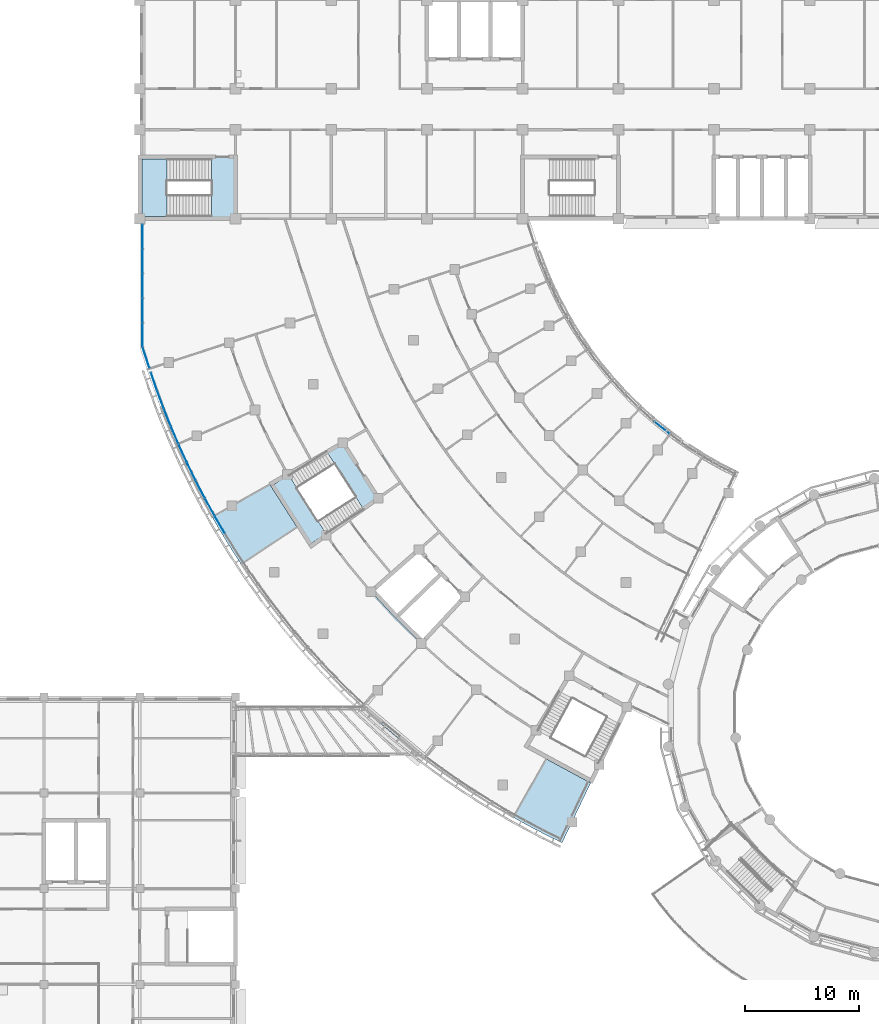
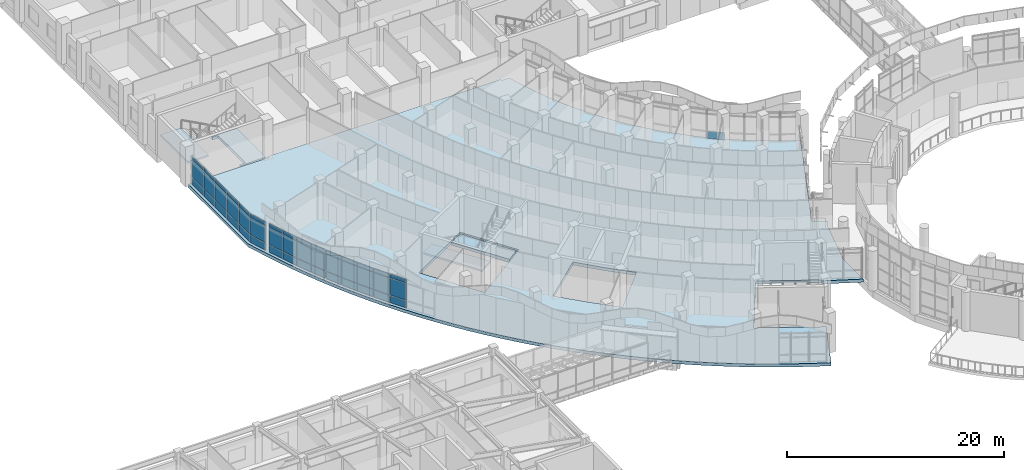
# One storey, part 46 of 136: 46 plates, 5 slabs, 8 elements without a shape of their own.
"""IFC4 building model written with IfcOpenShell, lengths in metres."""

import ifcopenshell
import ifcopenshell.guid

model = None  # the IFC model being written
_history = None  # IfcOwnerHistory: only IFC2X3 demands one
_inside = {}  # id of a spatial element -> (the spatial element, [elements in it])
_under = {}  # id of a project, library or spatial element -> (it, [spatial elements below it])
_declared = {}  # id of a project -> (the project, [libraries it declares])
_typed = {}  # id of a type object -> (the type object, [elements of that type])
_made_of = {}  # id of a material, layer set ... -> (it, [elements and type objects made of it])


def new_model(schema):
    """Start an empty IFC model of exactly this schema.

    Asked for "IFC4X3", IfcOpenShell would pick the latest addendum, in which some entities
    have other attributes; the version numbers below select the first issue.
    IFC2X3 requires an IfcOwnerHistory on every rooted entity: one is made here for all.
    """
    global model, _history
    if schema == "IFC4X3":
        model = ifcopenshell.file(schema_version=(4, 3, 0, 0))
    else:
        model = ifcopenshell.file(schema=schema)
    _inside.clear()
    _under.clear()
    _declared.clear()
    _typed.clear()
    _made_of.clear()
    _history = None
    if model.schema == "IFC2X3":
        org = make("IfcOrganization", Name="unknown")
        user = make(
            "IfcPersonAndOrganization",
            ThePerson=make("IfcPerson", FamilyName="unknown"),
            TheOrganization=org,
        )
        app = make(
            "IfcApplication",
            ApplicationDeveloper=org,
            Version="unknown",
            ApplicationFullName="unknown",
            ApplicationIdentifier="unknown",
        )
        _history = make(
            "IfcOwnerHistory",
            OwningUser=user,
            OwningApplication=app,
            ChangeAction="ADDED",
            CreationDate=0,
        )
    return model


def make(cls, **values):
    """One entity of the class cls with the attributes given. An attribute that is None is left unset."""
    return model.create_entity(
        cls, **{name: value for name, value in values.items() if value is not None}
    )


def rooted(cls, **values):
    """An entity with a GlobalId (a new one), such as an element, a storey or a relation."""
    return make(cls, GlobalId=ifcopenshell.guid.new(), OwnerHistory=_history, **values)


def si_unit(unit_type, name, prefix=None):
    """IfcSIUnit, for example si_unit("LENGTHUNIT", "METRE", prefix="MILLI")."""
    return make("IfcSIUnit", UnitType=unit_type, Prefix=prefix, Name=name)


def assignment(units):
    """IfcUnitAssignment: the units of a project."""
    return None if units is None else make("IfcUnitAssignment", Units=units)


def point(xyz):
    """IfcCartesianPoint."""
    return None if xyz is None else make("IfcCartesianPoint", Coordinates=xyz)


def direction(xyz):
    """IfcDirection."""
    return None if xyz is None else make("IfcDirection", DirectionRatios=xyz)


def frame(location, z_axis=None, x_axis=None):
    """IfcAxis2Placement3D, a coordinate frame: its origin and axes. An axis left out is left unset."""
    return make(
        "IfcAxis2Placement3D",
        Location=point(location),
        Axis=direction(z_axis),
        RefDirection=direction(x_axis),
    )


def frame_2d(location, x_axis=None):
    """IfcAxis2Placement2D, a coordinate frame in the plane: its origin and x axis."""
    return make(
        "IfcAxis2Placement2D", Location=point(location), RefDirection=direction(x_axis)
    )


def origin():
    """The frame at (0, 0, 0) with its axes left unset."""
    return frame((0.0, 0.0, 0.0))


def origin_2d():
    """The frame at (0, 0) in the plane with its x axis left unset."""
    return frame_2d((0.0, 0.0))


def place(relative_to, where):
    """IfcLocalPlacement: puts the frame where relative to a parent placement (None: the world)."""
    return make(
        "IfcLocalPlacement", PlacementRelTo=relative_to, RelativePlacement=where
    )


def context(
    kind, dimensions, precision=None, world=None, true_north=None, identifier=None
):
    """IfcGeometricRepresentationContext, for example the 3D "Model" context."""
    return make(
        "IfcGeometricRepresentationContext",
        ContextIdentifier=identifier,
        ContextType=kind,
        CoordinateSpaceDimension=dimensions,
        Precision=precision,
        WorldCoordinateSystem=world,
        TrueNorth=true_north,
    )


def subcontext(parent, identifier, kind, view, scale=None):
    """IfcGeometricRepresentationSubContext, for example "Body" below "Model"."""
    return make(
        "IfcGeometricRepresentationSubContext",
        ContextIdentifier=identifier,
        ContextType=kind,
        ParentContext=parent,
        TargetScale=scale,
        TargetView=view,
    )


def project(units=None, contexts=None):
    """IfcProject with its units and contexts."""
    return rooted(
        "IfcProject",
        Name="project",
        RepresentationContexts=contexts,
        UnitsInContext=assignment(units),
    )


def spatial(cls, under=None, at=None, **own):
    """A site, building, storey or space (cls), placed at a placement, below another one or the project."""
    s = rooted(cls, ObjectPlacement=at, **own)
    if under is not None:
        _under.setdefault(under.id(), (under, []))[1].append(s)
    return s


def polyline(points):
    """IfcPolyline through the points."""
    return make("IfcPolyline", Points=[point(p) for p in points])


def profile(cls, at=None, kind="AREA", **sizes):
    """A parametric profile (cls). Its sizes go by their IFC names, for example OverallWidth=200.0."""
    return make(cls, ProfileType=kind, Position=at, **sizes)


def rectangle(**sizes):
    """IfcRectangleProfileDef."""
    return profile("IfcRectangleProfileDef", **sizes)


def outline(outer, holes=None, kind="AREA"):
    """IfcArbitraryClosedProfileDef: a profile drawn as a closed curve; with holes, ...WithVoids."""
    if holes is None:
        return make("IfcArbitraryClosedProfileDef", ProfileType=kind, OuterCurve=outer)
    return make(
        "IfcArbitraryProfileDefWithVoids",
        ProfileType=kind,
        OuterCurve=outer,
        InnerCurves=holes,
    )


def extrude(swept, where, along, depth):
    """IfcExtrudedAreaSolid: the profile swept, set in the frame where, extruded along a direction by depth."""
    return make(
        "IfcExtrudedAreaSolid",
        SweptArea=swept,
        Position=where,
        ExtrudedDirection=direction(along),
        Depth=depth,
    )


def shape(context_of_items, identifier, shape_type, items):
    """IfcShapeRepresentation: the items that make up one representation, for example the "Body"."""
    return make(
        "IfcShapeRepresentation",
        ContextOfItems=context_of_items,
        RepresentationIdentifier=identifier,
        RepresentationType=shape_type,
        Items=items,
    )


def material(Name=None, Category=None):
    """IfcMaterial."""
    return make("IfcMaterial", Name=Name, Category=Category)


def layer(
    of_material, thickness, ventilated=None, Name=None, Category=None, Priority=None
):
    """IfcMaterialLayer: one layer of a wall or slab, of a material (None: an air gap)."""
    return make(
        "IfcMaterialLayer",
        Material=of_material,
        LayerThickness=thickness,
        IsVentilated=ventilated,
        Name=Name,
        Category=Category,
        Priority=Priority,
    )


def layer_set(layers, Name=None):
    """IfcMaterialLayerSet."""
    return make("IfcMaterialLayerSet", MaterialLayers=layers, LayerSetName=Name)


def made_of(thing, what):
    """Note that an element or type object is made of a material, layer set ...; save() writes the relation."""
    if what is not None:
        _made_of.setdefault(what.id(), (what, []))[1].append(thing)
    return thing


def type_object(cls, material=None, **own):
    """A type object (cls), such as IfcWallType, which elements share."""
    return made_of(rooted(cls, **own), material)


def element(
    cls,
    number,
    at=None,
    inside=None,
    cuts=None,
    type_object=None,
    material=None,
    context=None,
    identifier="Body",
    shape_type=None,
    held_by="IfcProductDefinitionShape",
    body=None,
    shapes=None,
    **own,
):
    """One element of the class cls, such as IfcWall. Its Tag is "e" and its number.

    at: its placement. inside: the storey or other place that contains it. cuts: it is an
    opening in that element (IfcRelVoidsElement). A single representation is given by context,
    identifier, shape_type and body (its items); several are given by shapes. held_by: the class
    of the entity that holds the representations. save() writes the other relations.
    """
    e = rooted(cls, Tag="e%d" % number, ObjectPlacement=at, **own)
    if body is not None:
        shapes = [shape(context, identifier, shape_type, body)]
    if shapes is not None:
        e.Representation = make(held_by, Representations=shapes)
    if inside is not None:
        _inside.setdefault(inside.id(), (inside, []))[1].append(e)
    if cuts is not None:
        rooted(
            "IfcRelVoidsElement", RelatingBuildingElement=cuts, RelatedOpeningElement=e
        )
    if type_object is not None:
        _typed.setdefault(type_object.id(), (type_object, []))[1].append(e)
    return made_of(e, material)


def aggregate(whole, parts):
    """IfcRelAggregates: a whole, such as a stair, and the parts it consists of."""
    return rooted("IfcRelAggregates", RelatingObject=whole, RelatedObjects=parts)


def save(model, path):
    """Write the relations noted so far, then the file.

    IfcRelAggregates (storeys below a building ...), IfcRelContainedInSpatialStructure (elements
    in a storey), IfcRelDefinesByType, IfcRelAssociatesMaterial and IfcRelDeclares: one each for
    every whole, place, type object, material and project.
    """
    for whole, parts in _under.values():
        aggregate(whole, parts)
    for where, things in _inside.values():
        rooted(
            "IfcRelContainedInSpatialStructure",
            RelatedElements=things,
            RelatingStructure=where,
        )
    for kind, things in _typed.values():
        rooted("IfcRelDefinesByType", RelatedObjects=things, RelatingType=kind)
    for what, things in _made_of.values():
        rooted("IfcRelAssociatesMaterial", RelatedObjects=things, RelatingMaterial=what)
    for by, libraries in _declared.values():
        rooted("IfcRelDeclares", RelatingContext=by, RelatedDefinitions=libraries)
    model.write(path)


model = new_model("IFC4")

# Units and contexts
model_context = context("Model", 3, precision=1e-05, world=origin(), true_north=direction((0.0, 1.0)))
body_context = subcontext(model_context, "Body", "Model", "MODEL_VIEW")
ifc_project = project(units=[si_unit("LENGTHUNIT", "METRE"), si_unit("AREAUNIT", "SQUARE_METRE"), si_unit("VOLUMEUNIT", "CUBIC_METRE"), si_unit("PLANEANGLEUNIT", "RADIAN"), si_unit("MASSUNIT", "GRAM", prefix="KILO")], contexts=[model_context])

# Site, building, storey
site_placement = place(None, origin())
site = spatial("IfcSite", under=ifc_project, at=site_placement, CompositionType="ELEMENT")
building_placement = place(site_placement, origin())
building = spatial("IfcBuilding", under=site, at=building_placement, Name="Bougainvillea Quay General Hospital", CompositionType="ELEMENT")
storey_placement = place(building_placement, frame((0.0, 0.0, 5.39990234375)))
storey = spatial("IfcBuildingStorey", under=building, at=storey_placement, Name="L01", CompositionType="ELEMENT", Elevation=5.39990234375)

# Curtain wall, plates
ifc_material_1 = material(Name="Aluminium curtain wall system, powder-coated glazed", Category="aluminium")
curtain_wall_type_1 = type_object("IfcCurtainWallType", Name="Unitised curtain wall CW-2162", PredefinedType="NOTDEFINED", material=ifc_material_1)
curtain_wall_1_placement = place(storey_placement, origin())
curtain_wall_1 = element("IfcCurtainWall", 1, at=curtain_wall_1_placement, inside=storey, type_object=curtain_wall_type_1, Name="CW-AE 00", PredefinedType="NOTDEFINED")
ifc_material_2 = material(Name="Insulated aluminium spandrel panel, white", Category="aluminium")
ifc_layer_1 = layer(ifc_material_2, 0.028076171875)
ifc_layer_set_1 = layer_set([ifc_layer_1], Name="Insulated aluminium spandrel panel, white")
plate_type_1 = type_object("IfcPlateType", Name="Insulated spandrel panel white 28", PredefinedType="CURTAIN_PANEL", material=ifc_layer_set_1)
plate_1_placement = place(storey_placement, frame((42.25, 116.009033203125, 0.06005859375), z_axis=(0.0, 0.0, 1.0), x_axis=(0.0, -1.0, 0.0)))
plate_1 = element("IfcPlate", 2, at=plate_1_placement, type_object=plate_type_1, Name="CW-AE spandrel panel 1.1", PredefinedType="CURTAIN_PANEL", context=body_context, shape_type="SweptSolid", body=[
    extrude(rectangle(XDim=2.07177734375, YDim=0.028076171875, at=origin_2d()), origin(), (0.0, 0.0, 1.0), 0.81005859375),
])
plate_2_placement = place(storey_placement, frame((42.25, 116.009033203125, 2.88037109375), z_axis=(0.0, 0.0, 1.0), x_axis=(0.0, -1.0, 0.0)))
plate_2 = element("IfcPlate", 3, at=plate_2_placement, type_object=plate_type_1, Name="CW-AE spandrel panel 1.3", PredefinedType="CURTAIN_PANEL", context=body_context, shape_type="SweptSolid", body=[
    extrude(rectangle(XDim=2.07177734375, YDim=0.028076171875, at=origin_2d()), origin(), (0.0, 0.0, 1.0), 0.409912109375),
])
plate_3_placement = place(storey_placement, frame((42.25, 113.8623046875, 0.06005859375), z_axis=(0.0, 0.0, 1.0), x_axis=(0.0, -1.0, 0.0)))
plate_3 = element("IfcPlate", 4, at=plate_3_placement, type_object=plate_type_1, Name="CW-AE spandrel panel 2.1", PredefinedType="CURTAIN_PANEL", context=body_context, shape_type="SweptSolid", body=[
    extrude(rectangle(XDim=2.101806640625, YDim=0.028076171875, at=origin_2d()), origin(), (0.0, 0.0, 1.0), 0.81005859375),
])
plate_4_placement = place(storey_placement, frame((42.25, 113.8623046875, 2.88037109375), z_axis=(0.0, 0.0, 1.0), x_axis=(0.0, -1.0, 0.0)))
plate_4 = element("IfcPlate", 5, at=plate_4_placement, type_object=plate_type_1, Name="CW-AE spandrel panel 2.3", PredefinedType="CURTAIN_PANEL", context=body_context, shape_type="SweptSolid", body=[
    extrude(rectangle(XDim=2.101806640625, YDim=0.028076171875, at=origin_2d()), origin(), (0.0, 0.0, 1.0), 0.409912109375),
])
plate_5_placement = place(storey_placement, frame((42.25, 111.700439453125, 0.06005859375), z_axis=(0.0, 0.0, 1.0), x_axis=(0.0, -1.0, 0.0)))
plate_5 = element("IfcPlate", 6, at=plate_5_placement, type_object=plate_type_1, Name="CW-AE spandrel panel 3.1", PredefinedType="CURTAIN_PANEL", context=body_context, shape_type="SweptSolid", body=[
    extrude(rectangle(XDim=2.101806640625, YDim=0.028076171875, at=origin_2d()), origin(), (0.0, 0.0, 1.0), 0.81005859375),
])
plate_6_placement = place(storey_placement, frame((42.25, 111.700439453125, 2.88037109375), z_axis=(0.0, 0.0, 1.0), x_axis=(0.0, -1.0, 0.0)))
plate_6 = element("IfcPlate", 7, at=plate_6_placement, type_object=plate_type_1, Name="CW-AE spandrel panel 3.3", PredefinedType="CURTAIN_PANEL", context=body_context, shape_type="SweptSolid", body=[
    extrude(rectangle(XDim=2.101806640625, YDim=0.028076171875, at=origin_2d()), origin(), (0.0, 0.0, 1.0), 0.409912109375),
])
plate_7_placement = place(storey_placement, frame((42.25, 109.538818359375, 0.06005859375), z_axis=(0.0, 0.0, 1.0), x_axis=(0.0, -1.0, 0.0)))
plate_7 = element("IfcPlate", 8, at=plate_7_placement, type_object=plate_type_1, Name="CW-AE spandrel panel 4.1", PredefinedType="CURTAIN_PANEL", context=body_context, shape_type="SweptSolid", body=[
    extrude(rectangle(XDim=2.101806640625, YDim=0.028076171875, at=origin_2d()), origin(), (0.0, 0.0, 1.0), 0.81005859375),
])
plate_8_placement = place(storey_placement, frame((42.25, 109.538818359375, 2.88037109375), z_axis=(0.0, 0.0, 1.0), x_axis=(0.0, -1.0, 0.0)))
plate_8 = element("IfcPlate", 9, at=plate_8_placement, type_object=plate_type_1, Name="CW-AE spandrel panel 4.3", PredefinedType="CURTAIN_PANEL", context=body_context, shape_type="SweptSolid", body=[
    extrude(rectangle(XDim=2.101806640625, YDim=0.028076171875, at=origin_2d()), origin(), (0.0, 0.0, 1.0), 0.409912109375),
])
plate_9_placement = place(storey_placement, frame((42.25, 107.391845703125, 0.06005859375), z_axis=(0.0, 0.0, 1.0), x_axis=(0.0, -1.0, 0.0)))
plate_9 = element("IfcPlate", 10, at=plate_9_placement, type_object=plate_type_1, Name="CW-AE spandrel panel 5.1", PredefinedType="CURTAIN_PANEL", context=body_context, shape_type="SweptSolid", body=[
    extrude(rectangle(XDim=2.07177734375, YDim=0.028076171875, at=origin_2d()), origin(), (0.0, 0.0, 1.0), 0.81005859375),
])
plate_10_placement = place(storey_placement, frame((42.25, 107.391845703125, 2.88037109375), z_axis=(0.0, 0.0, 1.0), x_axis=(0.0, -1.0, 0.0)))
plate_10 = element("IfcPlate", 11, at=plate_10_placement, type_object=plate_type_1, Name="CW-AE spandrel panel 5.3", PredefinedType="CURTAIN_PANEL", context=body_context, shape_type="SweptSolid", body=[
    extrude(rectangle(XDim=2.07177734375, YDim=0.028076171875, at=origin_2d()), origin(), (0.0, 0.0, 1.0), 0.409912109375),
])

curtain_wall_type_2 = type_object("IfcCurtainWallType", Name="Unitised curtain wall CW-2027", PredefinedType="NOTDEFINED", material=ifc_material_1)
curtain_wall_2_placement = place(storey_placement, origin())
curtain_wall_2 = element("IfcCurtainWall", 12, at=curtain_wall_2_placement, inside=storey, type_object=curtain_wall_type_2, Name="CW-AE 00", PredefinedType="NOTDEFINED")
plate_11_placement = place(storey_placement, frame((42.55078125, 105.40966796875, 0.06005859375), z_axis=(0.0, 0.0, 1.0), x_axis=(0.30896330961, -0.951073957858, 0.0)))
plate_11 = element("IfcPlate", 13, at=plate_11_placement, type_object=plate_type_1, Name="CW-AE spandrel panel 1.1", PredefinedType="CURTAIN_PANEL", context=body_context, shape_type="SweptSolid", body=[
    extrude(rectangle(XDim=1.90625, YDim=0.028076171875, at=origin_2d()), origin(), (0.0, 0.0, 1.0), 0.81005859375),
])
plate_12_placement = place(storey_placement, frame((42.55078125, 105.40966796875, 2.88037109375), z_axis=(0.0, 0.0, 1.0), x_axis=(0.30896330961, -0.951073957858, 0.0)))
plate_12 = element("IfcPlate", 14, at=plate_12_placement, type_object=plate_type_1, Name="CW-AE spandrel panel 1.3", PredefinedType="CURTAIN_PANEL", context=body_context, shape_type="SweptSolid", body=[
    extrude(rectangle(XDim=1.90625, YDim=0.028076171875, at=origin_2d()), origin(), (0.0, 0.0, 1.0), 0.409912109375),
])

curtain_wall_type_3 = type_object("IfcCurtainWallType", Name="Unitised curtain wall CW-2100", PredefinedType="NOTDEFINED", material=ifc_material_1)
curtain_wall_3_placement = place(storey_placement, origin())
curtain_wall_3 = element("IfcCurtainWall", 15, at=curtain_wall_3_placement, inside=storey, type_object=curtain_wall_type_3, Name="CW-W06 a01b5", PredefinedType="NOTDEFINED")
plate_13_placement = place(storey_placement, frame((49.024169921875, 90.741943359375, 0.06005859375), z_axis=(0.0, 0.0, 1.0), x_axis=(-0.505348661129, 0.862915251166, 0.0)))
plate_13 = element("IfcPlate", 16, at=plate_13_placement, type_object=plate_type_1, Name="CW-W06 spandrel panel 4.1", PredefinedType="CURTAIN_PANEL", context=body_context, shape_type="SweptSolid", body=[
    extrude(rectangle(XDim=1.6787109375, YDim=0.028076171875, at=origin_2d()), origin(), (0.0, 0.0, 1.0), 0.81005859375),
])
plate_14_placement = place(storey_placement, frame((49.024169921875, 90.741943359375, 2.88037109375), z_axis=(0.0, 0.0, 1.0), x_axis=(-0.505348661129, 0.862915251166, 0.0)))
plate_14 = element("IfcPlate", 17, at=plate_14_placement, type_object=plate_type_1, Name="CW-W06 spandrel panel 4.3", PredefinedType="CURTAIN_PANEL", context=body_context, shape_type="SweptSolid", body=[
    extrude(rectangle(XDim=1.6787109375, YDim=0.028076171875, at=origin_2d()), origin(), (0.0, 0.0, 1.0), 0.409912109375),
])

curtain_wall_4_placement = place(storey_placement, origin())
curtain_wall_4 = element("IfcCurtainWall", 18, at=curtain_wall_4_placement, inside=storey, type_object=curtain_wall_type_3, Name="CW-W07 a01b6", PredefinedType="NOTDEFINED")
plate_15_placement = place(storey_placement, frame((48.135009765625, 92.305419921875, 0.06005859375), z_axis=(0.0, 0.0, 1.0), x_axis=(-0.483305302697, 0.875451874397, 0.0)))
plate_15 = element("IfcPlate", 19, at=plate_15_placement, type_object=plate_type_1, Name="CW-W07 spandrel panel 1.1", PredefinedType="CURTAIN_PANEL", context=body_context, shape_type="SweptSolid", body=[
    extrude(rectangle(XDim=1.6787109375, YDim=0.028076171875, at=origin_2d()), origin(), (0.0, 0.0, 1.0), 0.81005859375),
])
plate_16_placement = place(storey_placement, frame((48.135009765625, 92.305419921875, 2.88037109375), z_axis=(0.0, 0.0, 1.0), x_axis=(-0.483305302697, 0.875451874397, 0.0)))
plate_16 = element("IfcPlate", 20, at=plate_16_placement, type_object=plate_type_1, Name="CW-W07 spandrel panel 1.3", PredefinedType="CURTAIN_PANEL", context=body_context, shape_type="SweptSolid", body=[
    extrude(rectangle(XDim=1.6787109375, YDim=0.028076171875, at=origin_2d()), origin(), (0.0, 0.0, 1.0), 0.409912109375),
])
plate_17_placement = place(storey_placement, frame((47.30712890625, 93.851318359375, 0.06005859375), z_axis=(0.0, 0.0, 1.0), x_axis=(-0.460951141948, 0.887425515036, 0.0)))
plate_17 = element("IfcPlate", 21, at=plate_17_placement, type_object=plate_type_1, Name="CW-W07 spandrel panel 2.1", PredefinedType="CURTAIN_PANEL", context=body_context, shape_type="SweptSolid", body=[
    extrude(rectangle(XDim=1.708740234375, YDim=0.028076171875, at=origin_2d()), origin(), (0.0, 0.0, 1.0), 0.81005859375),
])
plate_18_placement = place(storey_placement, frame((47.30712890625, 93.851318359375, 2.88037109375), z_axis=(0.0, 0.0, 1.0), x_axis=(-0.460951141948, 0.887425515036, 0.0)))
plate_18 = element("IfcPlate", 22, at=plate_18_placement, type_object=plate_type_1, Name="CW-W07 spandrel panel 2.3", PredefinedType="CURTAIN_PANEL", context=body_context, shape_type="SweptSolid", body=[
    extrude(rectangle(XDim=1.708740234375, YDim=0.028076171875, at=origin_2d()), origin(), (0.0, 0.0, 1.0), 0.409912109375),
])
plate_19_placement = place(storey_placement, frame((46.51171875, 95.430908203125, 0.06005859375), z_axis=(0.0, 0.0, 1.0), x_axis=(-0.438300554318, 0.898828473116, 0.0)))
plate_19 = element("IfcPlate", 23, at=plate_19_placement, type_object=plate_type_1, Name="CW-W07 spandrel panel 3.1", PredefinedType="CURTAIN_PANEL", context=body_context, shape_type="SweptSolid", body=[
    extrude(rectangle(XDim=1.708740234375, YDim=0.028076171875, at=origin_2d()), origin(), (0.0, 0.0, 1.0), 0.81005859375),
])
plate_20_placement = place(storey_placement, frame((46.51171875, 95.430908203125, 2.88037109375), z_axis=(0.0, 0.0, 1.0), x_axis=(-0.438300554318, 0.898828473116, 0.0)))
plate_20 = element("IfcPlate", 24, at=plate_20_placement, type_object=plate_type_1, Name="CW-W07 spandrel panel 3.3", PredefinedType="CURTAIN_PANEL", context=body_context, shape_type="SweptSolid", body=[
    extrude(rectangle(XDim=1.708740234375, YDim=0.028076171875, at=origin_2d()), origin(), (0.0, 0.0, 1.0), 0.409912109375),
])
plate_21_placement = place(storey_placement, frame((45.762939453125, 97.016845703125, 0.06005859375), z_axis=(0.0, 0.0, 1.0), x_axis=(-0.415368105869, 0.909653415663, 0.0)))
plate_21 = element("IfcPlate", 25, at=plate_21_placement, type_object=plate_type_1, Name="CW-W07 spandrel panel 4.1", PredefinedType="CURTAIN_PANEL", context=body_context, shape_type="SweptSolid", body=[
    extrude(rectangle(XDim=1.6787109375, YDim=0.028076171875, at=origin_2d()), origin(), (0.0, 0.0, 1.0), 0.81005859375),
])
plate_22_placement = place(storey_placement, frame((45.762939453125, 97.016845703125, 2.88037109375), z_axis=(0.0, 0.0, 1.0), x_axis=(-0.415368105869, 0.909653415663, 0.0)))
plate_22 = element("IfcPlate", 26, at=plate_22_placement, type_object=plate_type_1, Name="CW-W07 spandrel panel 4.3", PredefinedType="CURTAIN_PANEL", context=body_context, shape_type="SweptSolid", body=[
    extrude(rectangle(XDim=1.6787109375, YDim=0.028076171875, at=origin_2d()), origin(), (0.0, 0.0, 1.0), 0.409912109375),
])

curtain_wall_5_placement = place(storey_placement, origin())
curtain_wall_5 = element("IfcCurtainWall", 27, at=curtain_wall_5_placement, inside=storey, type_object=curtain_wall_type_3, Name="CW-W08 a01b7", PredefinedType="NOTDEFINED")
plate_23_placement = place(storey_placement, frame((45.052734375, 98.623779296875, 0.06005859375), z_axis=(0.0, 0.0, 1.0), x_axis=(-0.392718634519, 0.919658672607, 0.0)))
plate_23 = element("IfcPlate", 28, at=plate_23_placement, type_object=plate_type_1, Name="CW-W08 spandrel panel 1.1", PredefinedType="CURTAIN_PANEL", context=body_context, shape_type="SweptSolid", body=[
    extrude(rectangle(XDim=1.595458984375, YDim=0.028076171875, at=origin_2d()), origin(), (0.0, 0.0, 1.0), 0.81005859375),
])
plate_24_placement = place(storey_placement, frame((45.052734375, 98.623779296875, 2.88037109375), z_axis=(0.0, 0.0, 1.0), x_axis=(-0.392718634519, 0.919658672607, 0.0)))
plate_24 = element("IfcPlate", 29, at=plate_24_placement, type_object=plate_type_1, Name="CW-W08 spandrel panel 1.3", PredefinedType="CURTAIN_PANEL", context=body_context, shape_type="SweptSolid", body=[
    extrude(rectangle(XDim=1.595458984375, YDim=0.028076171875, at=origin_2d()), origin(), (0.0, 0.0, 1.0), 0.409912109375),
])
plate_25_placement = place(storey_placement, frame((44.41552734375, 100.167724609375, 0.06005859375), z_axis=(0.0, 0.0, 1.0), x_axis=(-0.370383986757, 0.928878733934, 0.0)))
plate_25 = element("IfcPlate", 30, at=plate_25_placement, type_object=plate_type_1, Name="CW-W08 spandrel panel 2.1", PredefinedType="CURTAIN_PANEL", context=body_context, shape_type="SweptSolid", body=[
    extrude(rectangle(XDim=1.625244140625, YDim=0.028076171875, at=origin_2d()), origin(), (0.0, 0.0, 1.0), 0.81005859375),
])
plate_26_placement = place(storey_placement, frame((44.41552734375, 100.167724609375, 2.88037109375), z_axis=(0.0, 0.0, 1.0), x_axis=(-0.370383986757, 0.928878733934, 0.0)))
plate_26 = element("IfcPlate", 31, at=plate_26_placement, type_object=plate_type_1, Name="CW-W08 spandrel panel 2.3", PredefinedType="CURTAIN_PANEL", context=body_context, shape_type="SweptSolid", body=[
    extrude(rectangle(XDim=1.625244140625, YDim=0.028076171875, at=origin_2d()), origin(), (0.0, 0.0, 1.0), 0.409912109375),
])
plate_27_placement = place(storey_placement, frame((43.810302734375, 101.740478515625, 0.06005859375), z_axis=(0.0, 0.0, 1.0), x_axis=(-0.347833091778, 0.937556473107, 0.0)))
plate_27 = element("IfcPlate", 32, at=plate_27_placement, type_object=plate_type_1, Name="CW-W08 spandrel panel 3.1", PredefinedType="CURTAIN_PANEL", context=body_context, shape_type="SweptSolid", body=[
    extrude(rectangle(XDim=1.625244140625, YDim=0.028076171875, at=origin_2d()), origin(), (0.0, 0.0, 1.0), 0.81005859375),
])
plate_28_placement = place(storey_placement, frame((43.810302734375, 101.740478515625, 2.88037109375), z_axis=(0.0, 0.0, 1.0), x_axis=(-0.347833091778, 0.937556473107, 0.0)))
plate_28 = element("IfcPlate", 33, at=plate_28_placement, type_object=plate_type_1, Name="CW-W08 spandrel panel 3.3", PredefinedType="CURTAIN_PANEL", context=body_context, shape_type="SweptSolid", body=[
    extrude(rectangle(XDim=1.625244140625, YDim=0.028076171875, at=origin_2d()), origin(), (0.0, 0.0, 1.0), 0.409912109375),
])
plate_29_placement = place(storey_placement, frame((43.248046875, 103.313232421875, 0.06005859375), z_axis=(0.0, 0.0, 1.0), x_axis=(-0.325079115849, 0.945686823657, 0.0)))
plate_29 = element("IfcPlate", 34, at=plate_29_placement, type_object=plate_type_1, Name="CW-W08 spandrel panel 4.1", PredefinedType="CURTAIN_PANEL", context=body_context, shape_type="SweptSolid", body=[
    extrude(rectangle(XDim=1.595458984375, YDim=0.028076171875, at=origin_2d()), origin(), (0.0, 0.0, 1.0), 0.81005859375),
])
plate_30_placement = place(storey_placement, frame((43.248046875, 103.313232421875, 2.88037109375), z_axis=(0.0, 0.0, 1.0), x_axis=(-0.325079115849, 0.945686823657, 0.0)))
plate_30 = element("IfcPlate", 35, at=plate_30_placement, type_object=plate_type_1, Name="CW-W08 spandrel panel 4.3", PredefinedType="CURTAIN_PANEL", context=body_context, shape_type="SweptSolid", body=[
    extrude(rectangle(XDim=1.595458984375, YDim=0.028076171875, at=origin_2d()), origin(), (0.0, 0.0, 1.0), 0.409912109375),
])

# Curtain wall, plate
curtain_wall_6_placement = place(storey_placement, origin())
curtain_wall_6 = element("IfcCurtainWall", 36, at=curtain_wall_6_placement, inside=storey, type_object=curtain_wall_type_3, Name="CW-W03 a11b2", PredefinedType="NOTDEFINED")
plate_31_placement = place(storey_placement, frame((87.838134765625, 99.242431640625, 0.06005859375), z_axis=(0.0, 0.0, 1.0), x_axis=(-0.781770850765, 0.623565824026, 0.0)))
plate_31 = element("IfcPlate", 37, at=plate_31_placement, type_object=plate_type_1, Name="CW-W03 spandrel panel 1.1", PredefinedType="CURTAIN_PANEL", context=body_context, shape_type="SweptSolid", body=[
    extrude(rectangle(XDim=1.64697265625, YDim=0.028076171875, at=origin_2d()), origin(), (0.0, 0.0, 1.0), 0.81005859375),
])
aggregate(curtain_wall_6, [plate_31])

# Plate
ifc_material_3 = material(Name="Low-e laminated glass, solar control", Category="glass")
ifc_layer_2 = layer(ifc_material_3, 0.028076171875)
ifc_layer_set_2 = layer_set([ifc_layer_2], Name="Low-e laminated glass, solar control")
plate_type_2 = type_object("IfcPlateType", Name="Low-e laminated vision glass 28", PredefinedType="CURTAIN_PANEL", material=ifc_layer_set_2)
plate_32_placement = place(storey_placement, frame((42.25, 116.009033203125, 0.93017578125), z_axis=(0.0, 0.0, 1.0), x_axis=(0.0, -1.0, 0.0)))
plate_32 = element("IfcPlate", 38, at=plate_32_placement, type_object=plate_type_2, Name="CW-AE vision glass panel 1.2", PredefinedType="CURTAIN_PANEL", context=body_context, shape_type="SweptSolid", body=[
    extrude(rectangle(XDim=2.07177734375, YDim=0.028076171875, at=origin_2d()), origin(), (0.0, 0.0, 1.0), 1.889892578125),
])

plate_33_placement = place(storey_placement, frame((42.25, 113.8623046875, 0.93017578125), z_axis=(0.0, 0.0, 1.0), x_axis=(0.0, -1.0, 0.0)))
plate_33 = element("IfcPlate", 39, at=plate_33_placement, type_object=plate_type_2, Name="CW-AE vision glass panel 2.2", PredefinedType="CURTAIN_PANEL", context=body_context, shape_type="SweptSolid", body=[
    extrude(rectangle(XDim=2.101806640625, YDim=0.028076171875, at=origin_2d()), origin(), (0.0, 0.0, 1.0), 1.889892578125),
])

plate_34_placement = place(storey_placement, frame((42.25, 111.700439453125, 0.93017578125), z_axis=(0.0, 0.0, 1.0), x_axis=(0.0, -1.0, 0.0)))
plate_34 = element("IfcPlate", 40, at=plate_34_placement, type_object=plate_type_2, Name="CW-AE vision glass panel 3.2", PredefinedType="CURTAIN_PANEL", context=body_context, shape_type="SweptSolid", body=[
    extrude(rectangle(XDim=2.101806640625, YDim=0.028076171875, at=origin_2d()), origin(), (0.0, 0.0, 1.0), 1.889892578125),
])

plate_35_placement = place(storey_placement, frame((42.25, 109.538818359375, 0.93017578125), z_axis=(0.0, 0.0, 1.0), x_axis=(0.0, -1.0, 0.0)))
plate_35 = element("IfcPlate", 41, at=plate_35_placement, type_object=plate_type_2, Name="CW-AE vision glass panel 4.2", PredefinedType="CURTAIN_PANEL", context=body_context, shape_type="SweptSolid", body=[
    extrude(rectangle(XDim=2.101806640625, YDim=0.028076171875, at=origin_2d()), origin(), (0.0, 0.0, 1.0), 1.889892578125),
])

plate_36_placement = place(storey_placement, frame((42.25, 107.391845703125, 0.93017578125), z_axis=(0.0, 0.0, 1.0), x_axis=(0.0, -1.0, 0.0)))
plate_36 = element("IfcPlate", 42, at=plate_36_placement, type_object=plate_type_2, Name="CW-AE vision glass panel 5.2", PredefinedType="CURTAIN_PANEL", context=body_context, shape_type="SweptSolid", body=[
    extrude(rectangle(XDim=2.07177734375, YDim=0.028076171875, at=origin_2d()), origin(), (0.0, 0.0, 1.0), 1.889892578125),
])

aggregate(curtain_wall_1, [plate_1, plate_32, plate_2, plate_3, plate_33, plate_4, plate_5, plate_34, plate_6, plate_7, plate_35, plate_8, plate_9, plate_36, plate_10])

plate_37_placement = place(storey_placement, frame((42.55078125, 105.40966796875, 0.93017578125), z_axis=(0.0, 0.0, 1.0), x_axis=(0.30896330961, -0.951073957858, 0.0)))
plate_37 = element("IfcPlate", 43, at=plate_37_placement, type_object=plate_type_2, Name="CW-AE vision glass panel 1.2", PredefinedType="CURTAIN_PANEL", context=body_context, shape_type="SweptSolid", body=[
    extrude(rectangle(XDim=1.90625, YDim=0.028076171875, at=origin_2d()), origin(), (0.0, 0.0, 1.0), 1.889892578125),
])

aggregate(curtain_wall_2, [plate_11, plate_37, plate_12])

plate_38_placement = place(storey_placement, frame((49.024169921875, 90.741943359375, 0.93017578125), z_axis=(0.0, 0.0, 1.0), x_axis=(-0.505348661129, 0.862915251166, 0.0)))
plate_38 = element("IfcPlate", 44, at=plate_38_placement, type_object=plate_type_2, Name="CW-W06 vision glass panel 4.2", PredefinedType="CURTAIN_PANEL", context=body_context, shape_type="SweptSolid", body=[
    extrude(rectangle(XDim=1.6787109375, YDim=0.028076171875, at=origin_2d()), origin(), (0.0, 0.0, 1.0), 1.889892578125),
])

aggregate(curtain_wall_3, [plate_13, plate_38, plate_14])

plate_39_placement = place(storey_placement, frame((48.135009765625, 92.305419921875, 0.93017578125), z_axis=(0.0, 0.0, 1.0), x_axis=(-0.483305302697, 0.875451874397, 0.0)))
plate_39 = element("IfcPlate", 45, at=plate_39_placement, type_object=plate_type_2, Name="CW-W07 vision glass panel 1.2", PredefinedType="CURTAIN_PANEL", context=body_context, shape_type="SweptSolid", body=[
    extrude(rectangle(XDim=1.6787109375, YDim=0.028076171875, at=origin_2d()), origin(), (0.0, 0.0, 1.0), 1.889892578125),
])

plate_40_placement = place(storey_placement, frame((47.30712890625, 93.851318359375, 0.93017578125), z_axis=(0.0, 0.0, 1.0), x_axis=(-0.460951141948, 0.887425515036, 0.0)))
plate_40 = element("IfcPlate", 46, at=plate_40_placement, type_object=plate_type_2, Name="CW-W07 vision glass panel 2.2", PredefinedType="CURTAIN_PANEL", context=body_context, shape_type="SweptSolid", body=[
    extrude(rectangle(XDim=1.708740234375, YDim=0.028076171875, at=origin_2d()), origin(), (0.0, 0.0, 1.0), 1.889892578125),
])

plate_41_placement = place(storey_placement, frame((46.51171875, 95.430908203125, 0.93017578125), z_axis=(0.0, 0.0, 1.0), x_axis=(-0.438300554318, 0.898828473116, 0.0)))
plate_41 = element("IfcPlate", 47, at=plate_41_placement, type_object=plate_type_2, Name="CW-W07 vision glass panel 3.2", PredefinedType="CURTAIN_PANEL", context=body_context, shape_type="SweptSolid", body=[
    extrude(rectangle(XDim=1.708740234375, YDim=0.028076171875, at=origin_2d()), origin(), (0.0, 0.0, 1.0), 1.889892578125),
])

plate_42_placement = place(storey_placement, frame((45.762939453125, 97.016845703125, 0.93017578125), z_axis=(0.0, 0.0, 1.0), x_axis=(-0.415368105869, 0.909653415663, 0.0)))
plate_42 = element("IfcPlate", 48, at=plate_42_placement, type_object=plate_type_2, Name="CW-W07 vision glass panel 4.2", PredefinedType="CURTAIN_PANEL", context=body_context, shape_type="SweptSolid", body=[
    extrude(rectangle(XDim=1.6787109375, YDim=0.028076171875, at=origin_2d()), origin(), (0.0, 0.0, 1.0), 1.889892578125),
])

aggregate(curtain_wall_4, [plate_15, plate_39, plate_16, plate_17, plate_40, plate_18, plate_19, plate_41, plate_20, plate_21, plate_42, plate_22])

plate_43_placement = place(storey_placement, frame((45.052734375, 98.623779296875, 0.93017578125), z_axis=(0.0, 0.0, 1.0), x_axis=(-0.392718634519, 0.919658672607, 0.0)))
plate_43 = element("IfcPlate", 49, at=plate_43_placement, type_object=plate_type_2, Name="CW-W08 vision glass panel 1.2", PredefinedType="CURTAIN_PANEL", context=body_context, shape_type="SweptSolid", body=[
    extrude(rectangle(XDim=1.595458984375, YDim=0.028076171875, at=origin_2d()), origin(), (0.0, 0.0, 1.0), 1.889892578125),
])

plate_44_placement = place(storey_placement, frame((44.41552734375, 100.167724609375, 0.93017578125), z_axis=(0.0, 0.0, 1.0), x_axis=(-0.370383986757, 0.928878733934, 0.0)))
plate_44 = element("IfcPlate", 50, at=plate_44_placement, type_object=plate_type_2, Name="CW-W08 vision glass panel 2.2", PredefinedType="CURTAIN_PANEL", context=body_context, shape_type="SweptSolid", body=[
    extrude(rectangle(XDim=1.625244140625, YDim=0.028076171875, at=origin_2d()), origin(), (0.0, 0.0, 1.0), 1.889892578125),
])

plate_45_placement = place(storey_placement, frame((43.810302734375, 101.740478515625, 0.93017578125), z_axis=(0.0, 0.0, 1.0), x_axis=(-0.347833091778, 0.937556473107, 0.0)))
plate_45 = element("IfcPlate", 51, at=plate_45_placement, type_object=plate_type_2, Name="CW-W08 vision glass panel 3.2", PredefinedType="CURTAIN_PANEL", context=body_context, shape_type="SweptSolid", body=[
    extrude(rectangle(XDim=1.625244140625, YDim=0.028076171875, at=origin_2d()), origin(), (0.0, 0.0, 1.0), 1.889892578125),
])

plate_46_placement = place(storey_placement, frame((43.248046875, 103.313232421875, 0.93017578125), z_axis=(0.0, 0.0, 1.0), x_axis=(-0.325079115849, 0.945686823657, 0.0)))
plate_46 = element("IfcPlate", 52, at=plate_46_placement, type_object=plate_type_2, Name="CW-W08 vision glass panel 4.2", PredefinedType="CURTAIN_PANEL", context=body_context, shape_type="SweptSolid", body=[
    extrude(rectangle(XDim=1.595458984375, YDim=0.028076171875, at=origin_2d()), origin(), (0.0, 0.0, 1.0), 1.889892578125),
])

aggregate(curtain_wall_5, [plate_23, plate_43, plate_24, plate_25, plate_44, plate_26, plate_27, plate_45, plate_28, plate_29, plate_46, plate_30])

# Slabs
ifc_material_4 = material(Name="Concrete C35", Category="concrete")
ifc_layer_3 = layer(ifc_material_4, 0.300048828125)
ifc_layer_set_3 = layer_set([ifc_layer_3], Name="Concrete C35")
slab_type_1 = type_object("IfcSlabType", Name="RC FLAT SLAB 300 C35", PredefinedType="FLOOR", material=ifc_layer_set_3)
slab_1_placement = place(storey_placement, frame((0.0, 0.0, -0.2998046875)))
element("IfcSlab", 53, at=slab_1_placement, inside=storey, type_object=slab_type_1, Name="Stair landing floor ST-B1 L01", PredefinedType="FLOOR", context=body_context, shape_type="SweptSolid", body=[
    extrude(outline(polyline([(47.702880859375, 122.8837890625), (47.71142578125, 122.942138671875), (47.725830078125, 122.99951171875), (50.39990234375, 123.0), (50.39990234375, 117.60009765625), (47.725830078125, 117.600341796875), (47.71142578125, 117.657958984375), (47.702880859375, 117.71630859375), (47.699951171875, 117.77392578125), (48.300537109375, 117.7744140625), (48.300537109375, 122.82568359375), (47.699951171875, 122.825927734375), (47.702880859375, 122.8837890625)])), origin(), (0.0, 0.0, 1.0), 0.2998046875),
])
ifc_layer_4 = layer(ifc_material_4, 0.35009765625)
ifc_layer_set_4 = layer_set([ifc_layer_4], Name="Concrete C35")
slab_type_2 = type_object("IfcSlabType", Name="RC FLAT SLAB 350 C35", PredefinedType="FLOOR", material=ifc_layer_set_4)
slab_2_placement = place(storey_placement, frame((0.0, 0.0, -0.349853515625)))
element("IfcSlab", 54, at=slab_2_placement, inside=storey, type_object=slab_type_2, Name="Slab S4 L01", PredefinedType="FLOOR", context=body_context, shape_type="SweptSolid", body=[
    extrude(outline(polyline([(68.68701171875, 68.9150390625), (70.10302734375, 67.93603515625), (71.5419921875, 66.991943359375), (73.0048828125, 66.083984375), (74.489013671875, 65.2119140625), (75.993896484375, 64.376953125), (77.52001953125, 63.5791015625), (79.06396484375, 62.819091796875), (81.572021484375, 68.076904296875), (81.413818359375, 68.15234375), (81.489990234375, 68.312255859375), (81.409912109375, 68.164306640625), (76.009765625, 71.084716796875), (76.089599609375, 71.23291015625), (75.99755859375, 71.08154296875), (75.698486328125, 71.263427734375), (79.62255859375, 77.71337890625), (79.916015625, 77.539794921875), (84.67431640625, 74.96630859375), (84.980224609375, 74.815673828125), (84.905029296875, 74.65771484375), (88.3798828125, 73.0), (88.3798828125, 76.740966796875), (89.799072265625, 82.035888671875), (90.217041015625, 82.760009765625), (88.8798828125, 83.39794921875), (87.528076171875, 80.56494140625), (94.56298828125, 95.31201171875), (93.81201171875, 95.680908203125), (93.072021484375, 96.069091796875), (92.340087890625, 96.47509765625), (91.618896484375, 96.89794921875), (90.908935546875, 97.339111328125), (90.2099609375, 97.798095703125), (89.52197265625, 98.27294921875), (88.845947265625, 98.764892578125), (88.18310546875, 99.27392578125), (87.531982421875, 99.799072265625), (86.89404296875, 100.340087890625), (86.27001953125, 100.89599609375), (85.658935546875, 101.468017578125), (85.06298828125, 102.053955078125), (84.48193359375, 102.655029296875), (83.9150390625, 103.27001953125), (83.364013671875, 103.89794921875), (82.827880859375, 104.5400390625), (82.30810546875, 105.195068359375), (81.804931640625, 105.863037109375), (81.318115234375, 106.54296875), (80.847900390625, 107.23388671875), (80.39501953125, 107.93701171875), (79.9599609375, 108.65087890625), (79.5419921875, 109.375), (79.14208984375, 110.10888671875), (78.760009765625, 110.85302734375), (78.39697265625, 111.60693359375), (78.052001953125, 112.367919921875), (77.72705078125, 113.137939453125), (77.419921875, 113.916015625), (77.132080078125, 114.700927734375), (76.864013671875, 115.492919921875), (76.23681640625, 117.425048828125), (75.77490234375, 117.425048828125), (75.425048828125, 117.425048828125), (75.425048828125, 117.60009765625), (50.574951171875, 117.60009765625), (50.574951171875, 117.425048828125), (50.22509765625, 117.425048828125), (42.175048828125, 117.425048828125), (42.0, 117.425048828125), (42.0, 106.2958984375), (42.6259765625, 104.368896484375), (43.177978515625, 102.738037109375), (43.77001953125, 101.1220703125), (44.402099609375, 99.52001953125), (45.072021484375, 97.93505859375), (45.781982421875, 96.365966796875), (46.530029296875, 94.81591796875), (47.31591796875, 93.283935546875), (48.138916015625, 91.77197265625), (48.9990234375, 90.281005859375), (49.89599609375, 88.81201171875), (50.827880859375, 87.364013671875), (51.7958984375, 85.94091796875), (52.798095703125, 84.541015625), (53.8349609375, 83.1669921875), (54.905029296875, 81.818115234375), (56.008056640625, 80.49609375), (57.14306640625, 79.201904296875), (58.30908203125, 77.93603515625), (59.507080078125, 76.698974609375), (60.73388671875, 75.491943359375), (61.990966796875, 74.31591796875), (63.27587890625, 73.169921875), (64.589111328125, 72.056884765625), (65.928955078125, 70.97607421875), (67.294921875, 69.928955078125), (68.68701171875, 68.9150390625)]), holes=[polyline([(62.553955078125, 84.85693359375), (62.4208984375, 84.739990234375), (62.18994140625, 85.003173828125), (66.51318359375, 88.794921875), (66.74267578125, 88.53662109375), (68.57568359375, 86.552978515625), (70.5048828125, 84.661865234375), (70.75634765625, 84.425048828125), (66.83984375, 80.214599609375), (66.583740234375, 80.453125), (66.704345703125, 80.582763671875), (66.58349609375, 80.459228515625), (64.456787109375, 82.540771484375), (64.575927734375, 82.6689453125), (64.4443359375, 82.5537109375), (62.427001953125, 84.73974609375), (62.553955078125, 84.85693359375)]), polyline([(53.5146484375, 94.119384765625), (53.656494140625, 94.2099609375), (53.50244140625, 94.122314453125), (53.329345703125, 94.426513671875), (59.8916015625, 98.15869140625), (60.06396484375, 97.8642578125), (62.9736328125, 93.304443359375), (63.16796875, 93.02392578125), (57.016845703125, 88.64599609375), (56.81396484375, 88.93115234375), (56.958251953125, 89.033935546875), (56.81640625, 88.943359375), (53.5146484375, 94.119384765625)])]), origin(), (0.0, 0.0, 1.0), 0.349853515625),
])
slab_3_placement = place(storey_placement, frame((0.0, 0.0, -0.349853515625)))
element("IfcSlab", 55, at=slab_3_placement, inside=storey, type_object=slab_type_2, Name="Stair landing floor ST-W2 L01", PredefinedType="FLOOR", context=body_context, shape_type="SweptSolid", body=[
    extrude(outline(polyline([(61.31298828125, 95.452880859375), (62.10302734375, 94.2490234375), (62.924072265625, 93.06494140625), (62.71435546875, 92.915771484375), (62.7412109375, 92.87353515625), (61.640869140625, 92.09033203125), (58.401123046875, 97.167236328125), (59.5751953125, 97.8349609375), (59.602294921875, 97.792724609375), (59.825927734375, 97.919921875), (60.553955078125, 96.677001953125), (61.31298828125, 95.452880859375)])), origin(), (0.0, 0.0, 1.0), 0.349853515625),
])

# Stair, slab
stair_type_1 = type_object("IfcStairType", Name="Stair half-turn 1925 wide", PredefinedType="HALF_TURN_STAIR", material=ifc_material_4)
stair_1_placement = place(storey_placement, origin())
stair_1 = element("IfcStair", 56, at=stair_1_placement, inside=storey, type_object=stair_type_1, Name="L01 stair ST-B1", PredefinedType="HALF_TURN_STAIR")
ifc_layer_5 = layer(ifc_material_4, 0.199951171875)
ifc_layer_set_5 = layer_set([ifc_layer_5], Name="Concrete C35")
slab_type_3 = type_object("IfcSlabType", Name="Stair landing 200", PredefinedType="LANDING", material=ifc_layer_set_5)
slab_4_placement = place(storey_placement, frame((0.0, 0.0, 2.050048828125)))
slab_4 = element("IfcSlab", 57, at=slab_4_placement, type_object=slab_type_3, Name="ST-B1 landing 1", PredefinedType="LANDING", context=body_context, shape_type="SweptSolid", body=[
    extrude(outline(polyline([(44.3798828125, 122.824951171875), (42.175048828125, 122.824951171875), (42.175048828125, 117.77490234375), (44.3798828125, 117.77490234375), (44.3798828125, 122.824951171875)])), origin(), (0.0, 0.0, 1.0), 0.199951171875),
])
aggregate(stair_1, [slab_4])

stair_type_2 = type_object("IfcStairType", Name="Stair half-turn 1350 wide", PredefinedType="HALF_TURN_STAIR", material=ifc_material_4)
stair_2_placement = place(storey_placement, origin())
stair_2 = element("IfcStair", 58, at=stair_2_placement, inside=storey, type_object=stair_type_2, Name="L01 stair ST-W2", PredefinedType="HALF_TURN_STAIR")
slab_5_placement = place(storey_placement, frame((0.0, 0.0, 2.050048828125)))
slab_5 = element("IfcSlab", 59, at=slab_5_placement, type_object=slab_type_3, Name="ST-W2 landing 1", PredefinedType="LANDING", context=body_context, shape_type="SweptSolid", body=[
    extrude(outline(polyline([(55.06884765625, 95.10009765625), (53.680419921875, 94.214111328125), (56.9736328125, 89.053466796875), (58.362060546875, 89.939453125), (55.06884765625, 95.10009765625)])), origin(), (0.0, 0.0, 1.0), 0.199951171875),
])
aggregate(stair_2, [slab_5])

save(model, "model.ifc")
